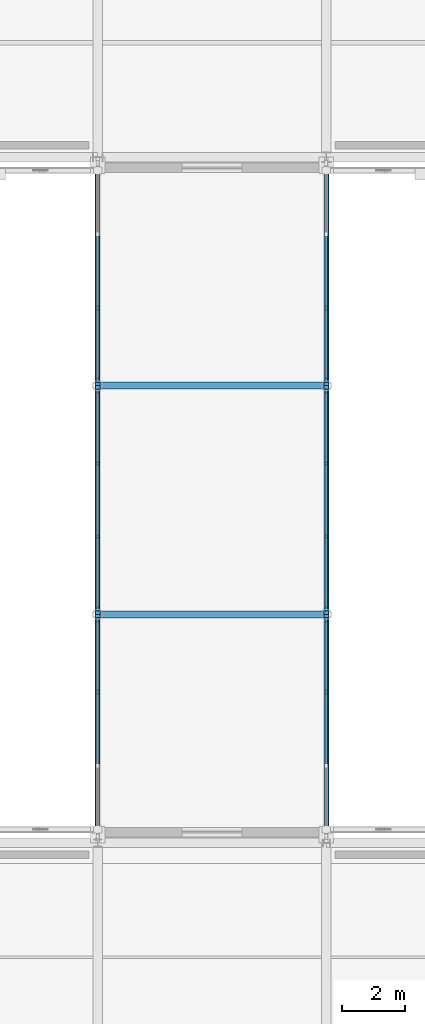
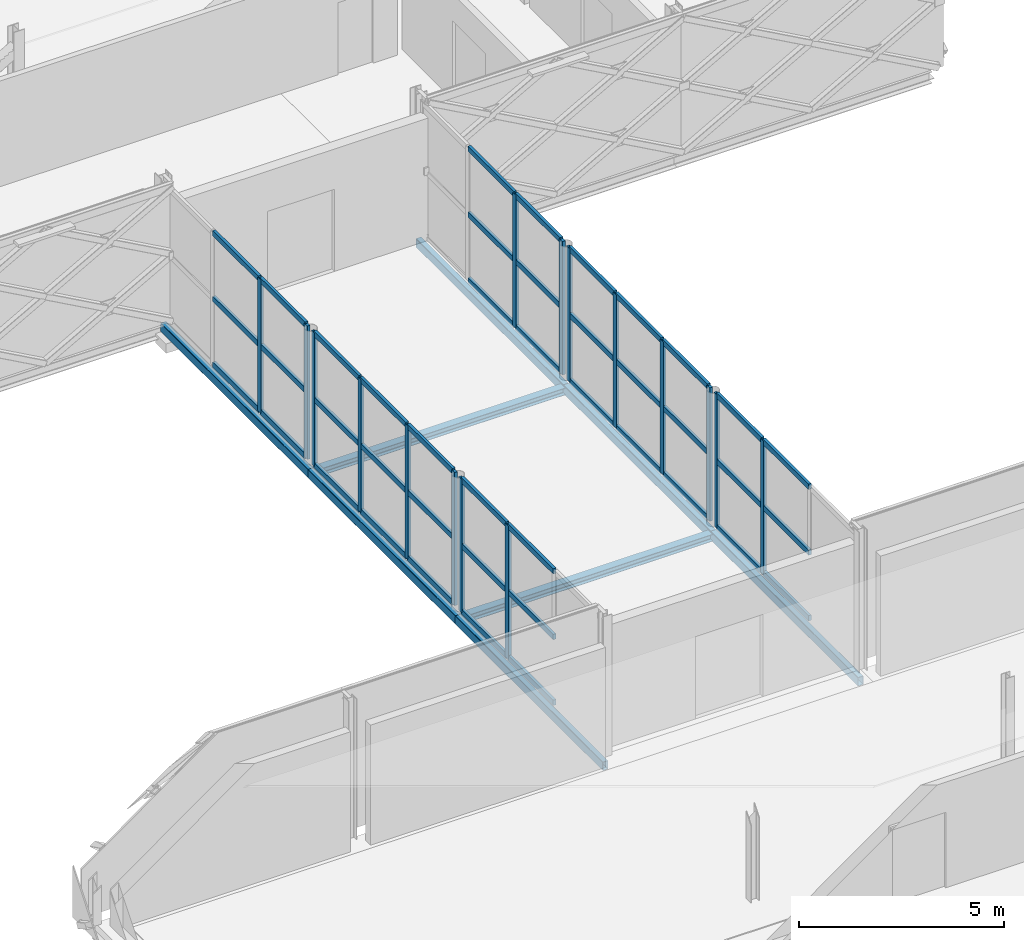
# One storey, part 27 of 126: 58 members, 8 beams, 6 elements without a shape of their own.
"""IFC4 building model written with IfcOpenShell, lengths in metres."""

from ifc_helpers import new_model, si_unit, direction, frame, origin, origin_2d, place, context, subcontext, project, spatial, rectangle, hollow_rectangle, i_section, extrude, material, material_profile, profile_set, type_object, element, aggregate, save


model = new_model("IFC4")

# Units and contexts
model_context = context("Model", 3, precision=1e-05, world=origin(), true_north=direction((0.0, 1.0)))
body_context = subcontext(model_context, "Body", "Model", "MODEL_VIEW")
ifc_project = project(units=[si_unit("LENGTHUNIT", "METRE"), si_unit("AREAUNIT", "SQUARE_METRE"), si_unit("VOLUMEUNIT", "CUBIC_METRE"), si_unit("PLANEANGLEUNIT", "RADIAN"), si_unit("MASSUNIT", "GRAM", prefix="KILO")], contexts=[model_context])

# Site, building, storey
site_placement = place(None, origin())
site = spatial("IfcSite", under=ifc_project, at=site_placement, CompositionType="ELEMENT")
building_placement = place(site_placement, origin())
building = spatial("IfcBuilding", under=site, at=building_placement, Name="Zlatovets Crest Museum", CompositionType="ELEMENT")
storey_placement = place(building_placement, frame((0.0, 0.0, 8.699951171875)))
storey = spatial("IfcBuildingStorey", under=building, at=storey_placement, Name="L02", CompositionType="ELEMENT", Elevation=8.699951171875)

# Beams
ifc_material_1 = material(Name="Structural steel S355J2", Category="steel")
ifc_material_profile_1 = material_profile(ifc_material_1, i_section(OverallWidth=0.219970703125, OverallDepth=0.2099609375, WebThickness=0.007080078125, FlangeThickness=0.010986328125, FilletRadius=0.01806640625, at=origin_2d()), Name="HEA 220")
ifc_profile_set_1 = profile_set([ifc_material_profile_1], Name="Structural steel S355J2")
beam_type_1 = type_object("IfcBeamType", Name="Beam_B-14", PredefinedType="BEAM", material=ifc_profile_set_1)
for number, where, z_axis, x_axis, name in (
    (1, (14.39990234375, 36.0, -0.349853515625), (1.0, 0.0, 0.0), (0.0, 1.0, 0.0), "West Hillside Glazed Link Bridge L02 Cross Beam"),
    (2, (14.39990234375, 43.199951171875, -0.349853515625), (1.0, 0.0, 0.0), (0.0, 1.0, 0.0), "West Hillside Glazed Link Bridge L02 Cross Beam"),
):
    element("IfcBeam", number, at=place(storey_placement, frame(where, z_axis=z_axis, x_axis=x_axis)), inside=storey, type_object=beam_type_1, Name=name, PredefinedType="BEAM", context=body_context, shape_type="SweptSolid", body=[
        extrude(i_section(OverallWidth=0.219970703125, OverallDepth=0.2099609375, WebThickness=0.007080078125, FlangeThickness=0.010986328125, FilletRadius=0.01806640625, at=origin_2d()), origin(), (0.0, 0.0, 1.0), 7.2001953125),
    ])
ifc_material_profile_2 = material_profile(ifc_material_1, hollow_rectangle(XDim=0.159912109375, YDim=0.260009765625, WallThickness=0.010009765625, InnerFilletRadius=0.010009765625, OuterFilletRadius=0.02001953125, at=origin_2d()), Name="RHS 160x260x10.0")
ifc_profile_set_2 = profile_set([ifc_material_profile_2], Name="Structural steel S355J2")
beam_type_2 = type_object("IfcBeamType", Name="Beam_BRG-02", PredefinedType="BEAM", material=ifc_profile_set_2)
for number, where, z_axis, x_axis, name in (
    (3, (14.39990234375, 28.800048828125, -0.349853515625), (0.0, 1.0, 0.0), (-1.0, 0.0, 0.0), "West Hillside Glazed Link Bridge L02 Stringer Beam"),
    (4, (14.39990234375, 36.0, -0.349853515625), (0.0, 1.0, 0.0), (-1.0, 0.0, 0.0), "West Hillside Glazed Link Bridge L02 Stringer Beam"),
    (5, (14.39990234375, 43.199951171875, -0.349853515625), (0.0, 1.0, 0.0), (-1.0, 0.0, 0.0), "West Hillside Glazed Link Bridge L02 Stringer Beam"),
    (6, (21.60009765625, 28.800048828125, -0.349853515625), (0.0, 1.0, 0.0), (-1.0, 0.0, 0.0), "West Hillside Glazed Link Bridge L02 Stringer Beam"),
    (7, (21.60009765625, 36.0, -0.349853515625), (0.0, 1.0, 0.0), (-1.0, 0.0, 0.0), "West Hillside Glazed Link Bridge L02 Stringer Beam"),
    (8, (21.60009765625, 43.199951171875, -0.349853515625), (0.0, 1.0, 0.0), (-1.0, 0.0, 0.0), "West Hillside Glazed Link Bridge L02 Stringer Beam"),
):
    element("IfcBeam", number, at=place(storey_placement, frame(where, z_axis=z_axis, x_axis=x_axis)), inside=storey, type_object=beam_type_2, Name=name, PredefinedType="BEAM", context=body_context, shape_type="SweptSolid", body=[
        extrude(hollow_rectangle(XDim=0.159912109375, YDim=0.260009765625, WallThickness=0.010009765625, InnerFilletRadius=0.010009765625, OuterFilletRadius=0.02001953125, at=origin_2d()), origin(), (0.0, 0.0, 1.0), 7.199951171875),
    ])

# Curtain wall, members
ifc_material_2 = material(Name="Bronze-anodised aluminium and low-E triple glass", Category="aluminium")
curtain_wall_type = type_object("IfcCurtainWallType", Name="CW_CW-BR2-L02-S69", PredefinedType="NOTDEFINED", material=ifc_material_2)
curtain_wall_1_placement = place(storey_placement, origin())
curtain_wall_1 = element("IfcCurtainWall", 9, at=curtain_wall_1_placement, inside=storey, type_object=curtain_wall_type, Name="West Hillside Glazed Link Bridge L02 Glazed Bridge Curtain Wall", PredefinedType="NOTDEFINED")
ifc_material_3 = material(Name="Bronze-anodised aluminium EN AW-6060", Category="aluminium")
ifc_material_profile_3 = material_profile(ifc_material_3, rectangle(XDim=0.080078125, YDim=0.159912109375, at=origin_2d()), Name="ALU 80x160")
ifc_profile_set_3 = profile_set([ifc_material_profile_3], Name="Bronze-anodised aluminium EN AW-6060")
member_type_1 = type_object("IfcMemberType", Name="CWMull_M1", PredefinedType="MULLION", material=ifc_profile_set_3)
member_1_placement = place(storey_placement, frame((14.39990234375, 33.550048828125, 0.0), z_axis=(0.0, 0.0, 1.0), x_axis=(-1.0, 0.0, 0.0)))
member_1 = element("IfcMember", 10, at=member_1_placement, type_object=member_type_1, Name="CW-BR2-L02-S69 mullion 3", PredefinedType="MULLION", context=body_context, shape_type="SweptSolid", body=[
    extrude(rectangle(XDim=0.080078125, YDim=0.159912109375, at=origin_2d()), origin(), (0.0, 0.0, 1.0), 3.97998046875),
])
member_2_placement = place(storey_placement, frame((14.39990234375, 35.820068359375, 0.0), z_axis=(0.0, 0.0, 1.0), x_axis=(-1.0, 0.0, 0.0)))
member_2 = element("IfcMember", 11, at=member_2_placement, type_object=member_type_1, Name="CW-BR2-L02-S69 mullion 4", PredefinedType="MULLION", context=body_context, shape_type="SweptSolid", body=[
    extrude(rectangle(XDim=0.080078125, YDim=0.159912109375, at=origin_2d()), origin(), (0.0, 0.0, 1.0), 3.97998046875),
])

curtain_wall_2_placement = place(storey_placement, origin())
curtain_wall_2 = element("IfcCurtainWall", 12, at=curtain_wall_2_placement, inside=storey, type_object=curtain_wall_type, Name="West Hillside Glazed Link Bridge L02 Glazed Bridge Curtain Wall", PredefinedType="NOTDEFINED")
member_3_placement = place(storey_placement, frame((14.39990234375, 36.179931640625, 0.0), z_axis=(0.0, 0.0, 1.0), x_axis=(-1.0, 0.0, 0.0)))
member_3 = element("IfcMember", 13, at=member_3_placement, type_object=member_type_1, Name="CW-BR2-L02-S69 mullion 1", PredefinedType="MULLION", context=body_context, shape_type="SweptSolid", body=[
    extrude(rectangle(XDim=0.080078125, YDim=0.159912109375, at=origin_2d()), origin(), (0.0, 0.0, 1.0), 3.97998046875),
])
member_4_placement = place(storey_placement, frame((14.39990234375, 38.449951171875, 0.0), z_axis=(0.0, 0.0, 1.0), x_axis=(-1.0, 0.0, 0.0)))
member_4 = element("IfcMember", 14, at=member_4_placement, type_object=member_type_1, Name="CW-BR2-L02-S69 mullion 2", PredefinedType="MULLION", context=body_context, shape_type="SweptSolid", body=[
    extrude(rectangle(XDim=0.080078125, YDim=0.159912109375, at=origin_2d()), origin(), (0.0, 0.0, 1.0), 3.97998046875),
])
member_5_placement = place(storey_placement, frame((14.39990234375, 40.75, 0.0), z_axis=(0.0, 0.0, 1.0), x_axis=(-1.0, 0.0, 0.0)))
member_5 = element("IfcMember", 15, at=member_5_placement, type_object=member_type_1, Name="CW-BR2-L02-S69 mullion 3", PredefinedType="MULLION", context=body_context, shape_type="SweptSolid", body=[
    extrude(rectangle(XDim=0.080078125, YDim=0.159912109375, at=origin_2d()), origin(), (0.0, 0.0, 1.0), 3.97998046875),
])
member_6_placement = place(storey_placement, frame((14.39990234375, 43.02001953125, 0.0), z_axis=(0.0, 0.0, 1.0), x_axis=(-1.0, 0.0, 0.0)))
member_6 = element("IfcMember", 16, at=member_6_placement, type_object=member_type_1, Name="CW-BR2-L02-S69 mullion 4", PredefinedType="MULLION", context=body_context, shape_type="SweptSolid", body=[
    extrude(rectangle(XDim=0.080078125, YDim=0.159912109375, at=origin_2d()), origin(), (0.0, 0.0, 1.0), 3.97998046875),
])

curtain_wall_3_placement = place(storey_placement, origin())
curtain_wall_3 = element("IfcCurtainWall", 17, at=curtain_wall_3_placement, inside=storey, type_object=curtain_wall_type, Name="West Hillside Glazed Link Bridge L02 Glazed Bridge Curtain Wall", PredefinedType="NOTDEFINED")
member_7_placement = place(storey_placement, frame((14.39990234375, 43.3798828125, 0.0), z_axis=(0.0, 0.0, 1.0), x_axis=(-1.0, 0.0, 0.0)))
member_7 = element("IfcMember", 18, at=member_7_placement, type_object=member_type_1, Name="CW-BR2-L02-S69 mullion 1", PredefinedType="MULLION", context=body_context, shape_type="SweptSolid", body=[
    extrude(rectangle(XDim=0.080078125, YDim=0.159912109375, at=origin_2d()), origin(), (0.0, 0.0, 1.0), 3.97998046875),
])
member_8_placement = place(storey_placement, frame((14.39990234375, 45.64990234375, 0.0), z_axis=(0.0, 0.0, 1.0), x_axis=(-1.0, 0.0, 0.0)))
member_8 = element("IfcMember", 19, at=member_8_placement, type_object=member_type_1, Name="CW-BR2-L02-S69 mullion 2", PredefinedType="MULLION", context=body_context, shape_type="SweptSolid", body=[
    extrude(rectangle(XDim=0.080078125, YDim=0.159912109375, at=origin_2d()), origin(), (0.0, 0.0, 1.0), 3.97998046875),
])

curtain_wall_4_placement = place(storey_placement, origin())
curtain_wall_4 = element("IfcCurtainWall", 20, at=curtain_wall_4_placement, inside=storey, type_object=curtain_wall_type, Name="West Hillside Glazed Link Bridge L02 Glazed Bridge Curtain Wall", PredefinedType="NOTDEFINED")
member_9_placement = place(storey_placement, frame((21.60009765625, 33.550048828125, 0.0), z_axis=(0.0, 0.0, 1.0), x_axis=(-1.0, 0.0, 0.0)))
member_9 = element("IfcMember", 21, at=member_9_placement, type_object=member_type_1, Name="CW-BR2-L02-S69 mullion 3", PredefinedType="MULLION", context=body_context, shape_type="SweptSolid", body=[
    extrude(rectangle(XDim=0.080078125, YDim=0.159912109375, at=origin_2d()), origin(), (0.0, 0.0, 1.0), 3.97998046875),
])
member_10_placement = place(storey_placement, frame((21.60009765625, 35.820068359375, 0.0), z_axis=(0.0, 0.0, 1.0), x_axis=(-1.0, 0.0, 0.0)))
member_10 = element("IfcMember", 22, at=member_10_placement, type_object=member_type_1, Name="CW-BR2-L02-S69 mullion 4", PredefinedType="MULLION", context=body_context, shape_type="SweptSolid", body=[
    extrude(rectangle(XDim=0.080078125, YDim=0.159912109375, at=origin_2d()), origin(), (0.0, 0.0, 1.0), 3.97998046875),
])

curtain_wall_5_placement = place(storey_placement, origin())
curtain_wall_5 = element("IfcCurtainWall", 23, at=curtain_wall_5_placement, inside=storey, type_object=curtain_wall_type, Name="West Hillside Glazed Link Bridge L02 Glazed Bridge Curtain Wall", PredefinedType="NOTDEFINED")
member_11_placement = place(storey_placement, frame((21.60009765625, 36.179931640625, 0.0), z_axis=(0.0, 0.0, 1.0), x_axis=(-1.0, 0.0, 0.0)))
member_11 = element("IfcMember", 24, at=member_11_placement, type_object=member_type_1, Name="CW-BR2-L02-S69 mullion 1", PredefinedType="MULLION", context=body_context, shape_type="SweptSolid", body=[
    extrude(rectangle(XDim=0.080078125, YDim=0.159912109375, at=origin_2d()), origin(), (0.0, 0.0, 1.0), 3.97998046875),
])
member_12_placement = place(storey_placement, frame((21.60009765625, 38.449951171875, 0.0), z_axis=(0.0, 0.0, 1.0), x_axis=(-1.0, 0.0, 0.0)))
member_12 = element("IfcMember", 25, at=member_12_placement, type_object=member_type_1, Name="CW-BR2-L02-S69 mullion 2", PredefinedType="MULLION", context=body_context, shape_type="SweptSolid", body=[
    extrude(rectangle(XDim=0.080078125, YDim=0.159912109375, at=origin_2d()), origin(), (0.0, 0.0, 1.0), 3.97998046875),
])
member_13_placement = place(storey_placement, frame((21.60009765625, 40.75, 0.0), z_axis=(0.0, 0.0, 1.0), x_axis=(-1.0, 0.0, 0.0)))
member_13 = element("IfcMember", 26, at=member_13_placement, type_object=member_type_1, Name="CW-BR2-L02-S69 mullion 3", PredefinedType="MULLION", context=body_context, shape_type="SweptSolid", body=[
    extrude(rectangle(XDim=0.080078125, YDim=0.159912109375, at=origin_2d()), origin(), (0.0, 0.0, 1.0), 3.97998046875),
])
member_14_placement = place(storey_placement, frame((21.60009765625, 43.02001953125, 0.0), z_axis=(0.0, 0.0, 1.0), x_axis=(-1.0, 0.0, 0.0)))
member_14 = element("IfcMember", 27, at=member_14_placement, type_object=member_type_1, Name="CW-BR2-L02-S69 mullion 4", PredefinedType="MULLION", context=body_context, shape_type="SweptSolid", body=[
    extrude(rectangle(XDim=0.080078125, YDim=0.159912109375, at=origin_2d()), origin(), (0.0, 0.0, 1.0), 3.97998046875),
])

curtain_wall_6_placement = place(storey_placement, origin())
curtain_wall_6 = element("IfcCurtainWall", 28, at=curtain_wall_6_placement, inside=storey, type_object=curtain_wall_type, Name="West Hillside Glazed Link Bridge L02 Glazed Bridge Curtain Wall", PredefinedType="NOTDEFINED")
member_15_placement = place(storey_placement, frame((21.60009765625, 43.3798828125, 0.0), z_axis=(0.0, 0.0, 1.0), x_axis=(-1.0, 0.0, 0.0)))
member_15 = element("IfcMember", 29, at=member_15_placement, type_object=member_type_1, Name="CW-BR2-L02-S69 mullion 1", PredefinedType="MULLION", context=body_context, shape_type="SweptSolid", body=[
    extrude(rectangle(XDim=0.080078125, YDim=0.159912109375, at=origin_2d()), origin(), (0.0, 0.0, 1.0), 3.97998046875),
])
member_16_placement = place(storey_placement, frame((21.60009765625, 45.64990234375, 0.0), z_axis=(0.0, 0.0, 1.0), x_axis=(-1.0, 0.0, 0.0)))
member_16 = element("IfcMember", 30, at=member_16_placement, type_object=member_type_1, Name="CW-BR2-L02-S69 mullion 2", PredefinedType="MULLION", context=body_context, shape_type="SweptSolid", body=[
    extrude(rectangle(XDim=0.080078125, YDim=0.159912109375, at=origin_2d()), origin(), (0.0, 0.0, 1.0), 3.97998046875),
])

# Member
ifc_material_profile_4 = material_profile(ifc_material_3, rectangle(XDim=0.080078125, YDim=0.159912109375, at=origin_2d()), Name="ALU 80x160")
ifc_profile_set_4 = profile_set([ifc_material_profile_4], Name="Bronze-anodised aluminium EN AW-6060")
member_type_2 = type_object("IfcMemberType", Name="CWTrans_T1", PredefinedType="USERDEFINED", material=ifc_profile_set_4)
member_17_placement = place(storey_placement, frame((14.39990234375, 31.280029296875, 0.030029296875), z_axis=(0.0, 1.0, 0.0), x_axis=(-1.0, 0.0, 0.0)))
member_17 = element("IfcMember", 31, at=member_17_placement, type_object=member_type_2, Name="CW-BR2-L02-S69 transom 2.1", ObjectType="TRANSOM", PredefinedType="USERDEFINED", context=body_context, shape_type="SweptSolid", body=[
    extrude(rectangle(XDim=0.080078125, YDim=0.159912109375, at=origin_2d()), origin(), (0.0, 0.0, 1.0), 2.239990234375),
])

member_18_placement = place(storey_placement, frame((14.39990234375, 31.280029296875, 1.989990234375), z_axis=(0.0, 1.0, 0.0), x_axis=(-1.0, 0.0, 0.0)))
member_18 = element("IfcMember", 32, at=member_18_placement, type_object=member_type_2, Name="CW-BR2-L02-S69 transom 2.2", ObjectType="TRANSOM", PredefinedType="USERDEFINED", context=body_context, shape_type="SweptSolid", body=[
    extrude(rectangle(XDim=0.080078125, YDim=0.159912109375, at=origin_2d()), origin(), (0.0, 0.0, 1.0), 2.239990234375),
])

member_19_placement = place(storey_placement, frame((14.39990234375, 31.280029296875, 3.949951171875), z_axis=(0.0, 1.0, 0.0), x_axis=(-1.0, 0.0, 0.0)))
member_19 = element("IfcMember", 33, at=member_19_placement, type_object=member_type_2, Name="CW-BR2-L02-S69 transom 2.3", ObjectType="TRANSOM", PredefinedType="USERDEFINED", context=body_context, shape_type="SweptSolid", body=[
    extrude(rectangle(XDim=0.080078125, YDim=0.159912109375, at=origin_2d()), origin(), (0.0, 0.0, 1.0), 2.239990234375),
])

member_20_placement = place(storey_placement, frame((14.39990234375, 33.580078125, 0.030029296875), z_axis=(0.0, 1.0, 0.0), x_axis=(-1.0, 0.0, 0.0)))
member_20 = element("IfcMember", 34, at=member_20_placement, type_object=member_type_2, Name="CW-BR2-L02-S69 transom 3.1", ObjectType="TRANSOM", PredefinedType="USERDEFINED", context=body_context, shape_type="SweptSolid", body=[
    extrude(rectangle(XDim=0.080078125, YDim=0.159912109375, at=origin_2d()), origin(), (0.0, 0.0, 1.0), 2.2099609375),
])

member_21_placement = place(storey_placement, frame((14.39990234375, 33.580078125, 1.989990234375), z_axis=(0.0, 1.0, 0.0), x_axis=(-1.0, 0.0, 0.0)))
member_21 = element("IfcMember", 35, at=member_21_placement, type_object=member_type_2, Name="CW-BR2-L02-S69 transom 3.2", ObjectType="TRANSOM", PredefinedType="USERDEFINED", context=body_context, shape_type="SweptSolid", body=[
    extrude(rectangle(XDim=0.080078125, YDim=0.159912109375, at=origin_2d()), origin(), (0.0, 0.0, 1.0), 2.2099609375),
])

member_22_placement = place(storey_placement, frame((14.39990234375, 33.580078125, 3.949951171875), z_axis=(0.0, 1.0, 0.0), x_axis=(-1.0, 0.0, 0.0)))
member_22 = element("IfcMember", 36, at=member_22_placement, type_object=member_type_2, Name="CW-BR2-L02-S69 transom 3.3", ObjectType="TRANSOM", PredefinedType="USERDEFINED", context=body_context, shape_type="SweptSolid", body=[
    extrude(rectangle(XDim=0.080078125, YDim=0.159912109375, at=origin_2d()), origin(), (0.0, 0.0, 1.0), 2.2099609375),
])

aggregate(curtain_wall_1, [member_1, member_2, member_17, member_18, member_19, member_20, member_21, member_22])

member_23_placement = place(storey_placement, frame((14.39990234375, 36.2099609375, 0.030029296875), z_axis=(0.0, 1.0, 0.0), x_axis=(-1.0, 0.0, 0.0)))
member_23 = element("IfcMember", 37, at=member_23_placement, type_object=member_type_2, Name="CW-BR2-L02-S69 transom 1.1", ObjectType="TRANSOM", PredefinedType="USERDEFINED", context=body_context, shape_type="SweptSolid", body=[
    extrude(rectangle(XDim=0.080078125, YDim=0.159912109375, at=origin_2d()), origin(), (0.0, 0.0, 1.0), 2.2099609375),
])

member_24_placement = place(storey_placement, frame((14.39990234375, 36.2099609375, 1.989990234375), z_axis=(0.0, 1.0, 0.0), x_axis=(-1.0, 0.0, 0.0)))
member_24 = element("IfcMember", 38, at=member_24_placement, type_object=member_type_2, Name="CW-BR2-L02-S69 transom 1.2", ObjectType="TRANSOM", PredefinedType="USERDEFINED", context=body_context, shape_type="SweptSolid", body=[
    extrude(rectangle(XDim=0.080078125, YDim=0.159912109375, at=origin_2d()), origin(), (0.0, 0.0, 1.0), 2.2099609375),
])

member_25_placement = place(storey_placement, frame((14.39990234375, 36.2099609375, 3.949951171875), z_axis=(0.0, 1.0, 0.0), x_axis=(-1.0, 0.0, 0.0)))
member_25 = element("IfcMember", 39, at=member_25_placement, type_object=member_type_2, Name="CW-BR2-L02-S69 transom 1.3", ObjectType="TRANSOM", PredefinedType="USERDEFINED", context=body_context, shape_type="SweptSolid", body=[
    extrude(rectangle(XDim=0.080078125, YDim=0.159912109375, at=origin_2d()), origin(), (0.0, 0.0, 1.0), 2.2099609375),
])

member_26_placement = place(storey_placement, frame((14.39990234375, 38.47998046875, 0.030029296875), z_axis=(0.0, 1.0, 0.0), x_axis=(-1.0, 0.0, 0.0)))
member_26 = element("IfcMember", 40, at=member_26_placement, type_object=member_type_2, Name="CW-BR2-L02-S69 transom 2.1", ObjectType="TRANSOM", PredefinedType="USERDEFINED", context=body_context, shape_type="SweptSolid", body=[
    extrude(rectangle(XDim=0.080078125, YDim=0.159912109375, at=origin_2d()), origin(), (0.0, 0.0, 1.0), 2.239990234375),
])

member_27_placement = place(storey_placement, frame((14.39990234375, 38.47998046875, 1.989990234375), z_axis=(0.0, 1.0, 0.0), x_axis=(-1.0, 0.0, 0.0)))
member_27 = element("IfcMember", 41, at=member_27_placement, type_object=member_type_2, Name="CW-BR2-L02-S69 transom 2.2", ObjectType="TRANSOM", PredefinedType="USERDEFINED", context=body_context, shape_type="SweptSolid", body=[
    extrude(rectangle(XDim=0.080078125, YDim=0.159912109375, at=origin_2d()), origin(), (0.0, 0.0, 1.0), 2.239990234375),
])

member_28_placement = place(storey_placement, frame((14.39990234375, 38.47998046875, 3.949951171875), z_axis=(0.0, 1.0, 0.0), x_axis=(-1.0, 0.0, 0.0)))
member_28 = element("IfcMember", 42, at=member_28_placement, type_object=member_type_2, Name="CW-BR2-L02-S69 transom 2.3", ObjectType="TRANSOM", PredefinedType="USERDEFINED", context=body_context, shape_type="SweptSolid", body=[
    extrude(rectangle(XDim=0.080078125, YDim=0.159912109375, at=origin_2d()), origin(), (0.0, 0.0, 1.0), 2.239990234375),
])

member_29_placement = place(storey_placement, frame((14.39990234375, 40.780029296875, 0.030029296875), z_axis=(0.0, 1.0, 0.0), x_axis=(-1.0, 0.0, 0.0)))
member_29 = element("IfcMember", 43, at=member_29_placement, type_object=member_type_2, Name="CW-BR2-L02-S69 transom 3.1", ObjectType="TRANSOM", PredefinedType="USERDEFINED", context=body_context, shape_type="SweptSolid", body=[
    extrude(rectangle(XDim=0.080078125, YDim=0.159912109375, at=origin_2d()), origin(), (0.0, 0.0, 1.0), 2.2099609375),
])

member_30_placement = place(storey_placement, frame((14.39990234375, 40.780029296875, 1.989990234375), z_axis=(0.0, 1.0, 0.0), x_axis=(-1.0, 0.0, 0.0)))
member_30 = element("IfcMember", 44, at=member_30_placement, type_object=member_type_2, Name="CW-BR2-L02-S69 transom 3.2", ObjectType="TRANSOM", PredefinedType="USERDEFINED", context=body_context, shape_type="SweptSolid", body=[
    extrude(rectangle(XDim=0.080078125, YDim=0.159912109375, at=origin_2d()), origin(), (0.0, 0.0, 1.0), 2.2099609375),
])

member_31_placement = place(storey_placement, frame((14.39990234375, 40.780029296875, 3.949951171875), z_axis=(0.0, 1.0, 0.0), x_axis=(-1.0, 0.0, 0.0)))
member_31 = element("IfcMember", 45, at=member_31_placement, type_object=member_type_2, Name="CW-BR2-L02-S69 transom 3.3", ObjectType="TRANSOM", PredefinedType="USERDEFINED", context=body_context, shape_type="SweptSolid", body=[
    extrude(rectangle(XDim=0.080078125, YDim=0.159912109375, at=origin_2d()), origin(), (0.0, 0.0, 1.0), 2.2099609375),
])

aggregate(curtain_wall_2, [member_3, member_4, member_5, member_6, member_23, member_24, member_25, member_26, member_27, member_28, member_29, member_30, member_31])

member_32_placement = place(storey_placement, frame((14.39990234375, 43.409912109375, 0.030029296875), z_axis=(0.0, 1.0, 0.0), x_axis=(-1.0, 0.0, 0.0)))
member_32 = element("IfcMember", 46, at=member_32_placement, type_object=member_type_2, Name="CW-BR2-L02-S69 transom 1.1", ObjectType="TRANSOM", PredefinedType="USERDEFINED", context=body_context, shape_type="SweptSolid", body=[
    extrude(rectangle(XDim=0.080078125, YDim=0.159912109375, at=origin_2d()), origin(), (0.0, 0.0, 1.0), 2.210205078125),
])

member_33_placement = place(storey_placement, frame((14.39990234375, 43.409912109375, 1.989990234375), z_axis=(0.0, 1.0, 0.0), x_axis=(-1.0, 0.0, 0.0)))
member_33 = element("IfcMember", 47, at=member_33_placement, type_object=member_type_2, Name="CW-BR2-L02-S69 transom 1.2", ObjectType="TRANSOM", PredefinedType="USERDEFINED", context=body_context, shape_type="SweptSolid", body=[
    extrude(rectangle(XDim=0.080078125, YDim=0.159912109375, at=origin_2d()), origin(), (0.0, 0.0, 1.0), 2.210205078125),
])

member_34_placement = place(storey_placement, frame((14.39990234375, 43.409912109375, 3.949951171875), z_axis=(0.0, 1.0, 0.0), x_axis=(-1.0, 0.0, 0.0)))
member_34 = element("IfcMember", 48, at=member_34_placement, type_object=member_type_2, Name="CW-BR2-L02-S69 transom 1.3", ObjectType="TRANSOM", PredefinedType="USERDEFINED", context=body_context, shape_type="SweptSolid", body=[
    extrude(rectangle(XDim=0.080078125, YDim=0.159912109375, at=origin_2d()), origin(), (0.0, 0.0, 1.0), 2.210205078125),
])

member_35_placement = place(storey_placement, frame((14.39990234375, 45.679931640625, 0.030029296875), z_axis=(0.0, 1.0, 0.0), x_axis=(-1.0, 0.0, 0.0)))
member_35 = element("IfcMember", 49, at=member_35_placement, type_object=member_type_2, Name="CW-BR2-L02-S69 transom 2.1", ObjectType="TRANSOM", PredefinedType="USERDEFINED", context=body_context, shape_type="SweptSolid", body=[
    extrude(rectangle(XDim=0.080078125, YDim=0.159912109375, at=origin_2d()), origin(), (0.0, 0.0, 1.0), 2.239990234375),
])

member_36_placement = place(storey_placement, frame((14.39990234375, 45.679931640625, 1.989990234375), z_axis=(0.0, 1.0, 0.0), x_axis=(-1.0, 0.0, 0.0)))
member_36 = element("IfcMember", 50, at=member_36_placement, type_object=member_type_2, Name="CW-BR2-L02-S69 transom 2.2", ObjectType="TRANSOM", PredefinedType="USERDEFINED", context=body_context, shape_type="SweptSolid", body=[
    extrude(rectangle(XDim=0.080078125, YDim=0.159912109375, at=origin_2d()), origin(), (0.0, 0.0, 1.0), 2.239990234375),
])

member_37_placement = place(storey_placement, frame((14.39990234375, 45.679931640625, 3.949951171875), z_axis=(0.0, 1.0, 0.0), x_axis=(-1.0, 0.0, 0.0)))
member_37 = element("IfcMember", 51, at=member_37_placement, type_object=member_type_2, Name="CW-BR2-L02-S69 transom 2.3", ObjectType="TRANSOM", PredefinedType="USERDEFINED", context=body_context, shape_type="SweptSolid", body=[
    extrude(rectangle(XDim=0.080078125, YDim=0.159912109375, at=origin_2d()), origin(), (0.0, 0.0, 1.0), 2.239990234375),
])

aggregate(curtain_wall_3, [member_7, member_8, member_32, member_33, member_34, member_35, member_36, member_37])

member_38_placement = place(storey_placement, frame((21.60009765625, 31.280029296875, 0.030029296875), z_axis=(0.0, 1.0, 0.0), x_axis=(-1.0, 0.0, 0.0)))
member_38 = element("IfcMember", 52, at=member_38_placement, type_object=member_type_2, Name="CW-BR2-L02-S69 transom 2.1", ObjectType="TRANSOM", PredefinedType="USERDEFINED", context=body_context, shape_type="SweptSolid", body=[
    extrude(rectangle(XDim=0.080078125, YDim=0.159912109375, at=origin_2d()), origin(), (0.0, 0.0, 1.0), 2.239990234375),
])

member_39_placement = place(storey_placement, frame((21.60009765625, 31.280029296875, 1.989990234375), z_axis=(0.0, 1.0, 0.0), x_axis=(-1.0, 0.0, 0.0)))
member_39 = element("IfcMember", 53, at=member_39_placement, type_object=member_type_2, Name="CW-BR2-L02-S69 transom 2.2", ObjectType="TRANSOM", PredefinedType="USERDEFINED", context=body_context, shape_type="SweptSolid", body=[
    extrude(rectangle(XDim=0.080078125, YDim=0.159912109375, at=origin_2d()), origin(), (0.0, 0.0, 1.0), 2.239990234375),
])

member_40_placement = place(storey_placement, frame((21.60009765625, 31.280029296875, 3.949951171875), z_axis=(0.0, 1.0, 0.0), x_axis=(-1.0, 0.0, 0.0)))
member_40 = element("IfcMember", 54, at=member_40_placement, type_object=member_type_2, Name="CW-BR2-L02-S69 transom 2.3", ObjectType="TRANSOM", PredefinedType="USERDEFINED", context=body_context, shape_type="SweptSolid", body=[
    extrude(rectangle(XDim=0.080078125, YDim=0.159912109375, at=origin_2d()), origin(), (0.0, 0.0, 1.0), 2.239990234375),
])

member_41_placement = place(storey_placement, frame((21.60009765625, 33.580078125, 0.030029296875), z_axis=(0.0, 1.0, 0.0), x_axis=(-1.0, 0.0, 0.0)))
member_41 = element("IfcMember", 55, at=member_41_placement, type_object=member_type_2, Name="CW-BR2-L02-S69 transom 3.1", ObjectType="TRANSOM", PredefinedType="USERDEFINED", context=body_context, shape_type="SweptSolid", body=[
    extrude(rectangle(XDim=0.080078125, YDim=0.159912109375, at=origin_2d()), origin(), (0.0, 0.0, 1.0), 2.2099609375),
])

member_42_placement = place(storey_placement, frame((21.60009765625, 33.580078125, 1.989990234375), z_axis=(0.0, 1.0, 0.0), x_axis=(-1.0, 0.0, 0.0)))
member_42 = element("IfcMember", 56, at=member_42_placement, type_object=member_type_2, Name="CW-BR2-L02-S69 transom 3.2", ObjectType="TRANSOM", PredefinedType="USERDEFINED", context=body_context, shape_type="SweptSolid", body=[
    extrude(rectangle(XDim=0.080078125, YDim=0.159912109375, at=origin_2d()), origin(), (0.0, 0.0, 1.0), 2.2099609375),
])

member_43_placement = place(storey_placement, frame((21.60009765625, 33.580078125, 3.949951171875), z_axis=(0.0, 1.0, 0.0), x_axis=(-1.0, 0.0, 0.0)))
member_43 = element("IfcMember", 57, at=member_43_placement, type_object=member_type_2, Name="CW-BR2-L02-S69 transom 3.3", ObjectType="TRANSOM", PredefinedType="USERDEFINED", context=body_context, shape_type="SweptSolid", body=[
    extrude(rectangle(XDim=0.080078125, YDim=0.159912109375, at=origin_2d()), origin(), (0.0, 0.0, 1.0), 2.2099609375),
])

aggregate(curtain_wall_4, [member_9, member_10, member_38, member_39, member_40, member_41, member_42, member_43])

member_44_placement = place(storey_placement, frame((21.60009765625, 36.2099609375, 0.030029296875), z_axis=(0.0, 1.0, 0.0), x_axis=(-1.0, 0.0, 0.0)))
member_44 = element("IfcMember", 58, at=member_44_placement, type_object=member_type_2, Name="CW-BR2-L02-S69 transom 1.1", ObjectType="TRANSOM", PredefinedType="USERDEFINED", context=body_context, shape_type="SweptSolid", body=[
    extrude(rectangle(XDim=0.080078125, YDim=0.159912109375, at=origin_2d()), origin(), (0.0, 0.0, 1.0), 2.2099609375),
])

member_45_placement = place(storey_placement, frame((21.60009765625, 36.2099609375, 1.989990234375), z_axis=(0.0, 1.0, 0.0), x_axis=(-1.0, 0.0, 0.0)))
member_45 = element("IfcMember", 59, at=member_45_placement, type_object=member_type_2, Name="CW-BR2-L02-S69 transom 1.2", ObjectType="TRANSOM", PredefinedType="USERDEFINED", context=body_context, shape_type="SweptSolid", body=[
    extrude(rectangle(XDim=0.080078125, YDim=0.159912109375, at=origin_2d()), origin(), (0.0, 0.0, 1.0), 2.2099609375),
])

member_46_placement = place(storey_placement, frame((21.60009765625, 36.2099609375, 3.949951171875), z_axis=(0.0, 1.0, 0.0), x_axis=(-1.0, 0.0, 0.0)))
member_46 = element("IfcMember", 60, at=member_46_placement, type_object=member_type_2, Name="CW-BR2-L02-S69 transom 1.3", ObjectType="TRANSOM", PredefinedType="USERDEFINED", context=body_context, shape_type="SweptSolid", body=[
    extrude(rectangle(XDim=0.080078125, YDim=0.159912109375, at=origin_2d()), origin(), (0.0, 0.0, 1.0), 2.2099609375),
])

member_47_placement = place(storey_placement, frame((21.60009765625, 38.47998046875, 0.030029296875), z_axis=(0.0, 1.0, 0.0), x_axis=(-1.0, 0.0, 0.0)))
member_47 = element("IfcMember", 61, at=member_47_placement, type_object=member_type_2, Name="CW-BR2-L02-S69 transom 2.1", ObjectType="TRANSOM", PredefinedType="USERDEFINED", context=body_context, shape_type="SweptSolid", body=[
    extrude(rectangle(XDim=0.080078125, YDim=0.159912109375, at=origin_2d()), origin(), (0.0, 0.0, 1.0), 2.239990234375),
])

member_48_placement = place(storey_placement, frame((21.60009765625, 38.47998046875, 1.989990234375), z_axis=(0.0, 1.0, 0.0), x_axis=(-1.0, 0.0, 0.0)))
member_48 = element("IfcMember", 62, at=member_48_placement, type_object=member_type_2, Name="CW-BR2-L02-S69 transom 2.2", ObjectType="TRANSOM", PredefinedType="USERDEFINED", context=body_context, shape_type="SweptSolid", body=[
    extrude(rectangle(XDim=0.080078125, YDim=0.159912109375, at=origin_2d()), origin(), (0.0, 0.0, 1.0), 2.239990234375),
])

member_49_placement = place(storey_placement, frame((21.60009765625, 38.47998046875, 3.949951171875), z_axis=(0.0, 1.0, 0.0), x_axis=(-1.0, 0.0, 0.0)))
member_49 = element("IfcMember", 63, at=member_49_placement, type_object=member_type_2, Name="CW-BR2-L02-S69 transom 2.3", ObjectType="TRANSOM", PredefinedType="USERDEFINED", context=body_context, shape_type="SweptSolid", body=[
    extrude(rectangle(XDim=0.080078125, YDim=0.159912109375, at=origin_2d()), origin(), (0.0, 0.0, 1.0), 2.239990234375),
])

member_50_placement = place(storey_placement, frame((21.60009765625, 40.780029296875, 0.030029296875), z_axis=(0.0, 1.0, 0.0), x_axis=(-1.0, 0.0, 0.0)))
member_50 = element("IfcMember", 64, at=member_50_placement, type_object=member_type_2, Name="CW-BR2-L02-S69 transom 3.1", ObjectType="TRANSOM", PredefinedType="USERDEFINED", context=body_context, shape_type="SweptSolid", body=[
    extrude(rectangle(XDim=0.080078125, YDim=0.159912109375, at=origin_2d()), origin(), (0.0, 0.0, 1.0), 2.2099609375),
])

member_51_placement = place(storey_placement, frame((21.60009765625, 40.780029296875, 1.989990234375), z_axis=(0.0, 1.0, 0.0), x_axis=(-1.0, 0.0, 0.0)))
member_51 = element("IfcMember", 65, at=member_51_placement, type_object=member_type_2, Name="CW-BR2-L02-S69 transom 3.2", ObjectType="TRANSOM", PredefinedType="USERDEFINED", context=body_context, shape_type="SweptSolid", body=[
    extrude(rectangle(XDim=0.080078125, YDim=0.159912109375, at=origin_2d()), origin(), (0.0, 0.0, 1.0), 2.2099609375),
])

member_52_placement = place(storey_placement, frame((21.60009765625, 40.780029296875, 3.949951171875), z_axis=(0.0, 1.0, 0.0), x_axis=(-1.0, 0.0, 0.0)))
member_52 = element("IfcMember", 66, at=member_52_placement, type_object=member_type_2, Name="CW-BR2-L02-S69 transom 3.3", ObjectType="TRANSOM", PredefinedType="USERDEFINED", context=body_context, shape_type="SweptSolid", body=[
    extrude(rectangle(XDim=0.080078125, YDim=0.159912109375, at=origin_2d()), origin(), (0.0, 0.0, 1.0), 2.2099609375),
])

aggregate(curtain_wall_5, [member_11, member_12, member_13, member_14, member_44, member_45, member_46, member_47, member_48, member_49, member_50, member_51, member_52])

member_53_placement = place(storey_placement, frame((21.60009765625, 43.409912109375, 0.030029296875), z_axis=(0.0, 1.0, 0.0), x_axis=(-1.0, 0.0, 0.0)))
member_53 = element("IfcMember", 67, at=member_53_placement, type_object=member_type_2, Name="CW-BR2-L02-S69 transom 1.1", ObjectType="TRANSOM", PredefinedType="USERDEFINED", context=body_context, shape_type="SweptSolid", body=[
    extrude(rectangle(XDim=0.080078125, YDim=0.159912109375, at=origin_2d()), origin(), (0.0, 0.0, 1.0), 2.210205078125),
])

member_54_placement = place(storey_placement, frame((21.60009765625, 43.409912109375, 1.989990234375), z_axis=(0.0, 1.0, 0.0), x_axis=(-1.0, 0.0, 0.0)))
member_54 = element("IfcMember", 68, at=member_54_placement, type_object=member_type_2, Name="CW-BR2-L02-S69 transom 1.2", ObjectType="TRANSOM", PredefinedType="USERDEFINED", context=body_context, shape_type="SweptSolid", body=[
    extrude(rectangle(XDim=0.080078125, YDim=0.159912109375, at=origin_2d()), origin(), (0.0, 0.0, 1.0), 2.210205078125),
])

member_55_placement = place(storey_placement, frame((21.60009765625, 43.409912109375, 3.949951171875), z_axis=(0.0, 1.0, 0.0), x_axis=(-1.0, 0.0, 0.0)))
member_55 = element("IfcMember", 69, at=member_55_placement, type_object=member_type_2, Name="CW-BR2-L02-S69 transom 1.3", ObjectType="TRANSOM", PredefinedType="USERDEFINED", context=body_context, shape_type="SweptSolid", body=[
    extrude(rectangle(XDim=0.080078125, YDim=0.159912109375, at=origin_2d()), origin(), (0.0, 0.0, 1.0), 2.210205078125),
])

member_56_placement = place(storey_placement, frame((21.60009765625, 45.679931640625, 0.030029296875), z_axis=(0.0, 1.0, 0.0), x_axis=(-1.0, 0.0, 0.0)))
member_56 = element("IfcMember", 70, at=member_56_placement, type_object=member_type_2, Name="CW-BR2-L02-S69 transom 2.1", ObjectType="TRANSOM", PredefinedType="USERDEFINED", context=body_context, shape_type="SweptSolid", body=[
    extrude(rectangle(XDim=0.080078125, YDim=0.159912109375, at=origin_2d()), origin(), (0.0, 0.0, 1.0), 2.239990234375),
])

member_57_placement = place(storey_placement, frame((21.60009765625, 45.679931640625, 1.989990234375), z_axis=(0.0, 1.0, 0.0), x_axis=(-1.0, 0.0, 0.0)))
member_57 = element("IfcMember", 71, at=member_57_placement, type_object=member_type_2, Name="CW-BR2-L02-S69 transom 2.2", ObjectType="TRANSOM", PredefinedType="USERDEFINED", context=body_context, shape_type="SweptSolid", body=[
    extrude(rectangle(XDim=0.080078125, YDim=0.159912109375, at=origin_2d()), origin(), (0.0, 0.0, 1.0), 2.239990234375),
])

member_58_placement = place(storey_placement, frame((21.60009765625, 45.679931640625, 3.949951171875), z_axis=(0.0, 1.0, 0.0), x_axis=(-1.0, 0.0, 0.0)))
member_58 = element("IfcMember", 72, at=member_58_placement, type_object=member_type_2, Name="CW-BR2-L02-S69 transom 2.3", ObjectType="TRANSOM", PredefinedType="USERDEFINED", context=body_context, shape_type="SweptSolid", body=[
    extrude(rectangle(XDim=0.080078125, YDim=0.159912109375, at=origin_2d()), origin(), (0.0, 0.0, 1.0), 2.239990234375),
])

aggregate(curtain_wall_6, [member_15, member_16, member_53, member_54, member_55, member_56, member_57, member_58])

save(model, "model.ifc")
